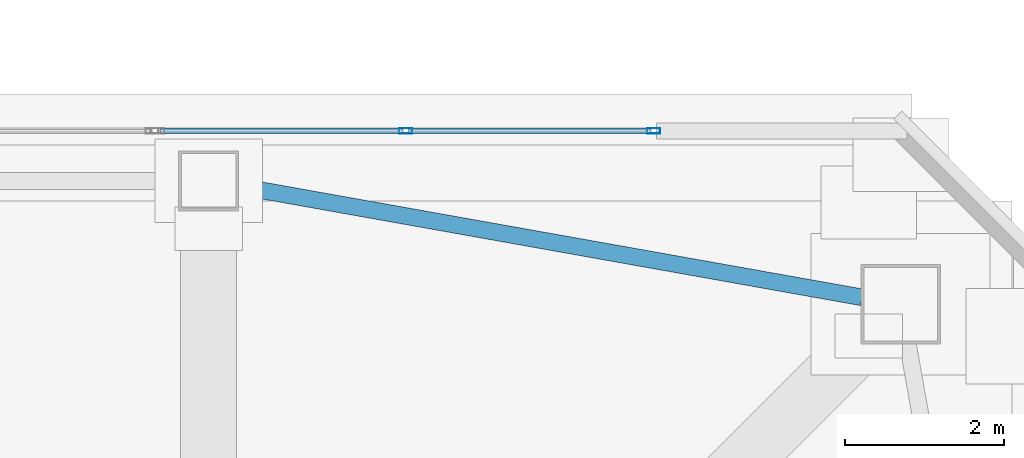
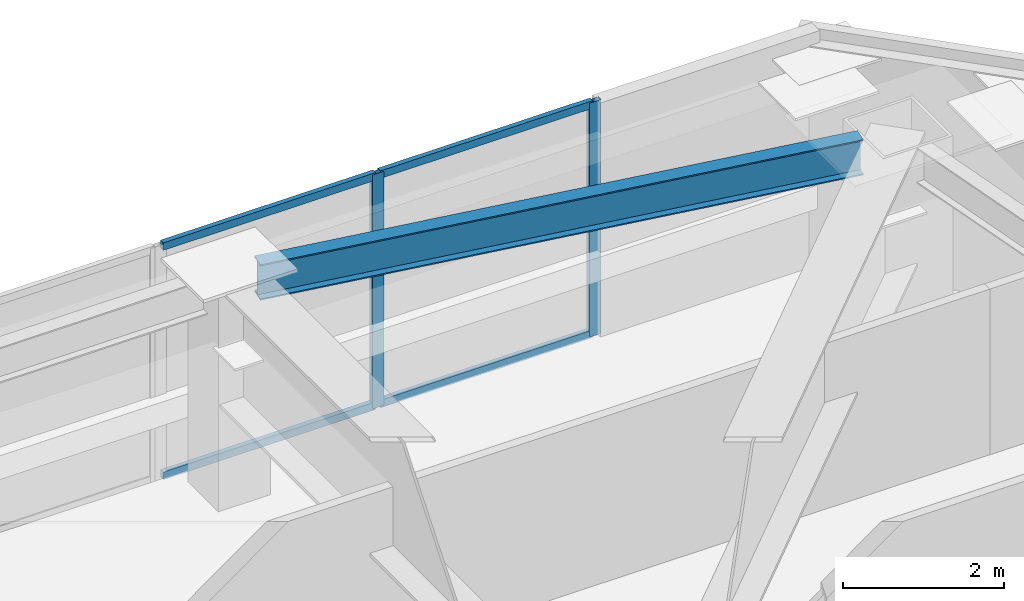
# One storey, part 15 of 40: 6 members, 1 beam, 1 element without a shape of its own.
"""IFC4 building model written with IfcOpenShell, lengths in metres."""

from ifc_helpers import new_model, si_unit, direction, frame, origin, origin_2d, place, context, subcontext, project, spatial, hollow_rectangle, i_section, extrude, material, material_profile, profile_set, type_object, element, aggregate, save


model = new_model("IFC4")

# Units and contexts
model_context = context("Model", 3, precision=1e-05, world=origin(), true_north=direction((0.0, 1.0)))
body_context = subcontext(model_context, "Body", "Model", "MODEL_VIEW")
ifc_project = project(units=[si_unit("LENGTHUNIT", "METRE"), si_unit("AREAUNIT", "SQUARE_METRE"), si_unit("VOLUMEUNIT", "CUBIC_METRE"), si_unit("PLANEANGLEUNIT", "RADIAN"), si_unit("MASSUNIT", "GRAM", prefix="KILO")], contexts=[model_context])

# Site, building, storey
site_placement = place(None, origin())
site = spatial("IfcSite", under=ifc_project, at=site_placement, CompositionType="ELEMENT")
building_placement = place(site_placement, origin())
building = spatial("IfcBuilding", under=site, at=building_placement, Name="Tashvorn Skyway Center", CompositionType="ELEMENT")
storey_placement = place(building_placement, frame((0.0, 0.0, 229.050048828125)))
storey = spatial("IfcBuildingStorey", under=building, at=storey_placement, Name="L62", CompositionType="ELEMENT", Elevation=229.050048828125)

# Beam
ifc_material_1 = material(Name="Steel ASTM A992 Grade 50", Category="steel")
ifc_material_profile_1 = material_profile(ifc_material_1, i_section(OverallWidth=0.2109375, OverallDepth=0.5390625, WebThickness=0.01171875, FlangeThickness=0.018798828125, at=origin_2d()), Name="W21X73")
ifc_profile_set_1 = profile_set([ifc_material_profile_1], Name="Steel ASTM A992 Grade 50")
beam_type = type_object("IfcBeamType", Name="BM-SPANDREL-W21X73", PredefinedType="SPANDREL", material=ifc_profile_set_1)
beam_placement = place(storey_placement, frame((55.61279296875, 46.186767578125, 3.100341796875), z_axis=(-0.984494883191, 0.17541329759, 0.0), x_axis=(-0.17541329759, -0.984494883191, 0.0)))
element("IfcBeam", 1, at=beam_placement, inside=storey, type_object=beam_type, Name="Tower 1 L62 Spandrel Beam 07", PredefinedType="SPANDREL", context=body_context, shape_type="SweptSolid", body=[
    extrude(i_section(OverallWidth=0.2109375, OverallDepth=0.5390625, WebThickness=0.01171875, FlangeThickness=0.018798828125, at=origin_2d()), origin(), (0.0, 0.0, 1.0), 7.97216796875),
])

# Curtain wall, members
ifc_material_2 = material(Name="Thermally broken bronze-anodized aluminium 6063-T6", Category="aluminium")
curtain_wall_type = type_object("IfcCurtainWallType", Name="CW-CW-Z5", PredefinedType="NOTDEFINED", material=ifc_material_2)
curtain_wall_placement = place(storey_placement, origin())
curtain_wall = element("IfcCurtainWall", 2, at=curtain_wall_placement, inside=storey, type_object=curtain_wall_type, Name="Tower 1 L62 North Unitised Curtain Wall Glazing Group 3", PredefinedType="NOTDEFINED")
ifc_material_profile_2 = material_profile(ifc_material_2, hollow_rectangle(XDim=0.070068359375, YDim=0.1650390625, WallThickness=0.00390625, at=origin_2d()), Name="ALU-MULL-70x165")
ifc_profile_set_2 = profile_set([ifc_material_profile_2], Name="Thermally broken bronze-anodized aluminium 6063-T6")
member_type_1 = type_object("IfcMemberType", Name="CWM-CW-Z5", PredefinedType="MULLION", material=ifc_profile_set_2)
member_1_placement = place(storey_placement, frame((49.877685546875, 48.280029296875, 0.0), z_axis=(0.0, 0.0, 1.0), x_axis=(0.0, 1.0, 0.0)))
member_1 = element("IfcMember", 3, at=member_1_placement, type_object=member_type_1, Name="CW-Z5 mullion 2", PredefinedType="MULLION", context=body_context, shape_type="SweptSolid", body=[
    extrude(hollow_rectangle(XDim=0.070068359375, YDim=0.1650390625, WallThickness=0.00390625, at=origin_2d()), origin(), (0.0, 0.0, 1.0), 3.550048828125),
])
member_2_placement = place(storey_placement, frame((52.993896484375, 48.280029296875, 0.0), z_axis=(0.0, 0.0, 1.0), x_axis=(0.0, 1.0, 0.0)))
member_2 = element("IfcMember", 4, at=member_2_placement, type_object=member_type_1, Name="CW-Z5 mullion 3", PredefinedType="MULLION", context=body_context, shape_type="SweptSolid", body=[
    extrude(hollow_rectangle(XDim=0.070068359375, YDim=0.1650390625, WallThickness=0.00390625, at=origin_2d()), origin(), (0.0, 0.0, 1.0), 3.550048828125),
])
ifc_material_profile_3 = material_profile(ifc_material_2, hollow_rectangle(XDim=0.070068359375, YDim=0.114990234375, WallThickness=0.00390625, at=origin_2d()), Name="ALU-TRAN-70x115")
ifc_profile_set_3 = profile_set([ifc_material_profile_3], Name="Thermally broken bronze-anodized aluminium 6063-T6")
member_type_2 = type_object("IfcMemberType", Name="CWT-CW-Z5", PredefinedType="USERDEFINED", material=ifc_profile_set_3)
member_3_placement = place(storey_placement, frame((46.796630859375, 48.280029296875, 0.034912109375), z_axis=(1.0, 0.0, 0.0), x_axis=(0.0, 1.0, 0.0)))
member_3 = element("IfcMember", 5, at=member_3_placement, type_object=member_type_2, Name="CW-Z5 transom 1.1", ObjectType="TRANSOM", PredefinedType="USERDEFINED", context=body_context, shape_type="SweptSolid", body=[
    extrude(hollow_rectangle(XDim=0.070068359375, YDim=0.114990234375, WallThickness=0.00390625, at=origin_2d()), origin(), (0.0, 0.0, 1.0), 3.046142578125),
])
member_4_placement = place(storey_placement, frame((46.796630859375, 48.280029296875, 3.514892578125), z_axis=(1.0, 0.0, 0.0), x_axis=(0.0, 1.0, 0.0)))
member_4 = element("IfcMember", 6, at=member_4_placement, type_object=member_type_2, Name="CW-Z5 transom 1.2", ObjectType="TRANSOM", PredefinedType="USERDEFINED", context=body_context, shape_type="SweptSolid", body=[
    extrude(hollow_rectangle(XDim=0.070068359375, YDim=0.114990234375, WallThickness=0.00390625, at=origin_2d()), origin(), (0.0, 0.0, 1.0), 3.046142578125),
])
member_5_placement = place(storey_placement, frame((49.912841796875, 48.280029296875, 0.034912109375), z_axis=(1.0, 0.0, 0.0), x_axis=(0.0, 1.0, 0.0)))
member_5 = element("IfcMember", 7, at=member_5_placement, type_object=member_type_2, Name="CW-Z5 transom 2.1", ObjectType="TRANSOM", PredefinedType="USERDEFINED", context=body_context, shape_type="SweptSolid", body=[
    extrude(hollow_rectangle(XDim=0.070068359375, YDim=0.114990234375, WallThickness=0.00390625, at=origin_2d()), origin(), (0.0, 0.0, 1.0), 3.046142578125),
])
member_6_placement = place(storey_placement, frame((49.912841796875, 48.280029296875, 3.514892578125), z_axis=(1.0, 0.0, 0.0), x_axis=(0.0, 1.0, 0.0)))
member_6 = element("IfcMember", 8, at=member_6_placement, type_object=member_type_2, Name="CW-Z5 transom 2.2", ObjectType="TRANSOM", PredefinedType="USERDEFINED", context=body_context, shape_type="SweptSolid", body=[
    extrude(hollow_rectangle(XDim=0.070068359375, YDim=0.114990234375, WallThickness=0.00390625, at=origin_2d()), origin(), (0.0, 0.0, 1.0), 3.046142578125),
])
aggregate(curtain_wall, [member_1, member_2, member_3, member_4, member_5, member_6])

save(model, "model.ifc")
